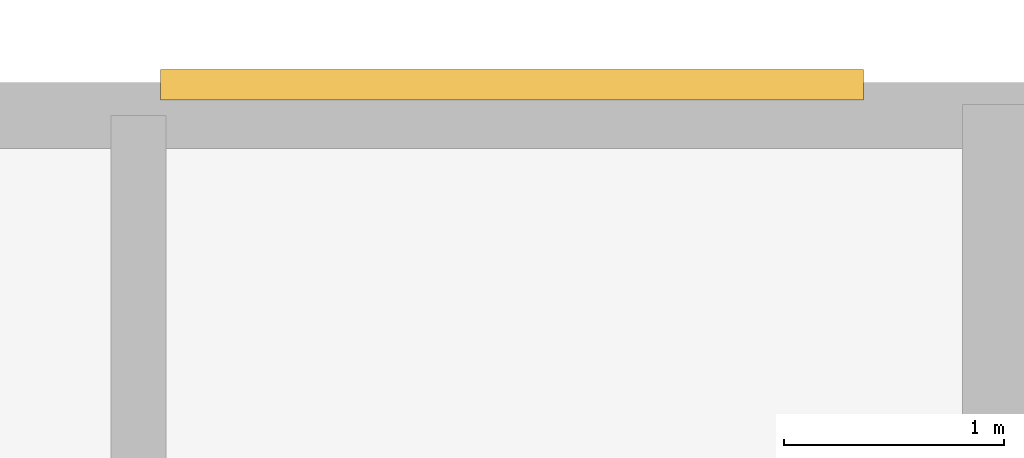
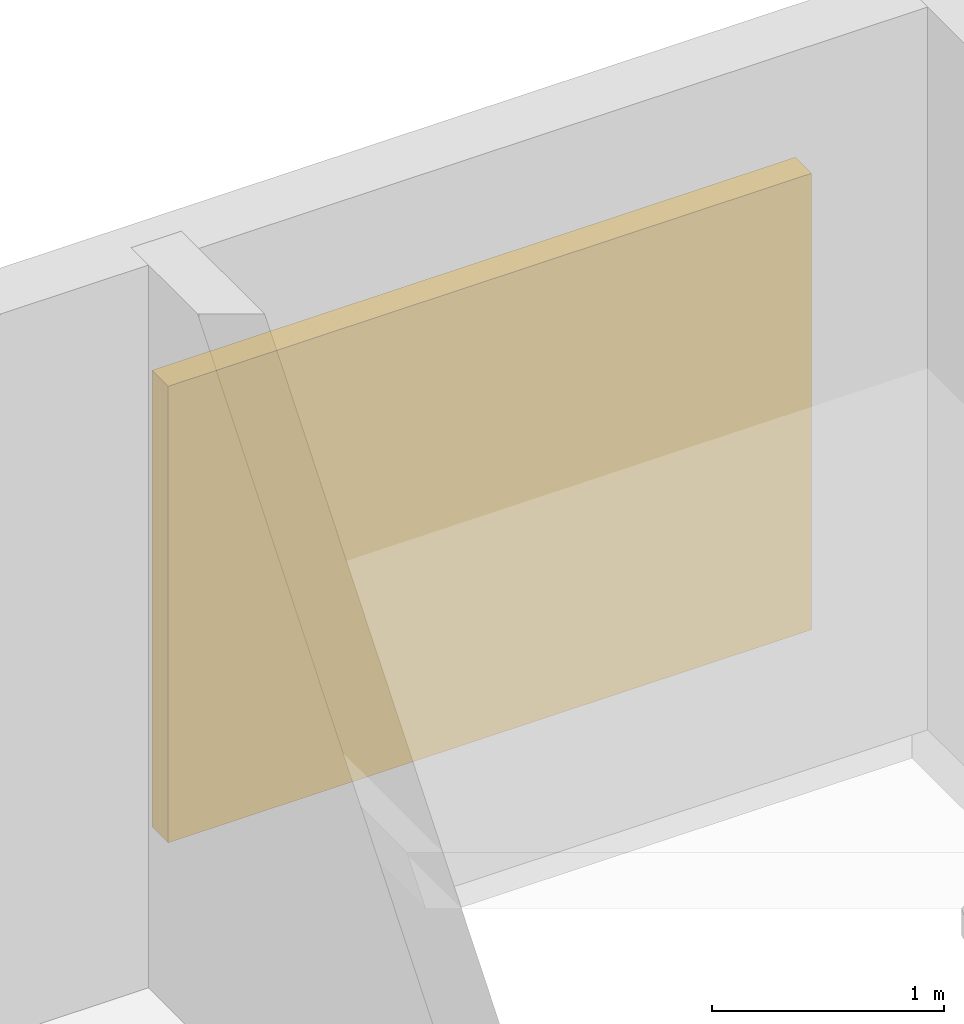
# One storey, part 23 of 23: 1 shading device.
"""IFC4 building model written with IfcOpenShell, lengths in metres."""

import ifcopenshell
import ifcopenshell.guid

model = None  # the IFC model being written
_history = None  # IfcOwnerHistory: only IFC2X3 demands one
_inside = {}  # id of a spatial element -> (the spatial element, [elements in it])
_under = {}  # id of a project, library or spatial element -> (it, [spatial elements below it])
_declared = {}  # id of a project -> (the project, [libraries it declares])
_typed = {}  # id of a type object -> (the type object, [elements of that type])
_made_of = {}  # id of a material, layer set ... -> (it, [elements and type objects made of it])


def new_model(schema):
    """Start an empty IFC model of exactly this schema.

    Asked for "IFC4X3", IfcOpenShell would pick the latest addendum, in which some entities
    have other attributes; the version numbers below select the first issue.
    IFC2X3 requires an IfcOwnerHistory on every rooted entity: one is made here for all.
    """
    global model, _history
    if schema == "IFC4X3":
        model = ifcopenshell.file(schema_version=(4, 3, 0, 0))
    else:
        model = ifcopenshell.file(schema=schema)
    _inside.clear()
    _under.clear()
    _declared.clear()
    _typed.clear()
    _made_of.clear()
    _history = None
    if model.schema == "IFC2X3":
        org = make("IfcOrganization", Name="unknown")
        user = make(
            "IfcPersonAndOrganization",
            ThePerson=make("IfcPerson", FamilyName="unknown"),
            TheOrganization=org,
        )
        app = make(
            "IfcApplication",
            ApplicationDeveloper=org,
            Version="unknown",
            ApplicationFullName="unknown",
            ApplicationIdentifier="unknown",
        )
        _history = make(
            "IfcOwnerHistory",
            OwningUser=user,
            OwningApplication=app,
            ChangeAction="ADDED",
            CreationDate=0,
        )
    return model


def make(cls, **values):
    """One entity of the class cls with the attributes given. An attribute that is None is left unset."""
    return model.create_entity(
        cls, **{name: value for name, value in values.items() if value is not None}
    )


def rooted(cls, **values):
    """An entity with a GlobalId (a new one), such as an element, a storey or a relation."""
    return make(cls, GlobalId=ifcopenshell.guid.new(), OwnerHistory=_history, **values)


def si_unit(unit_type, name, prefix=None):
    """IfcSIUnit, for example si_unit("LENGTHUNIT", "METRE", prefix="MILLI")."""
    return make("IfcSIUnit", UnitType=unit_type, Prefix=prefix, Name=name)


def assignment(units):
    """IfcUnitAssignment: the units of a project."""
    return None if units is None else make("IfcUnitAssignment", Units=units)


def point(xyz):
    """IfcCartesianPoint."""
    return None if xyz is None else make("IfcCartesianPoint", Coordinates=xyz)


def direction(xyz):
    """IfcDirection."""
    return None if xyz is None else make("IfcDirection", DirectionRatios=xyz)


def frame(location, z_axis=None, x_axis=None):
    """IfcAxis2Placement3D, a coordinate frame: its origin and axes. An axis left out is left unset."""
    return make(
        "IfcAxis2Placement3D",
        Location=point(location),
        Axis=direction(z_axis),
        RefDirection=direction(x_axis),
    )


def frame_2d(location, x_axis=None):
    """IfcAxis2Placement2D, a coordinate frame in the plane: its origin and x axis."""
    return make(
        "IfcAxis2Placement2D", Location=point(location), RefDirection=direction(x_axis)
    )


def origin():
    """The frame at (0, 0, 0) with its axes left unset."""
    return frame((0.0, 0.0, 0.0))


def origin_2d():
    """The frame at (0, 0) in the plane with its x axis left unset."""
    return frame_2d((0.0, 0.0))


def place(relative_to, where):
    """IfcLocalPlacement: puts the frame where relative to a parent placement (None: the world)."""
    return make(
        "IfcLocalPlacement", PlacementRelTo=relative_to, RelativePlacement=where
    )


def context(
    kind, dimensions, precision=None, world=None, true_north=None, identifier=None
):
    """IfcGeometricRepresentationContext, for example the 3D "Model" context."""
    return make(
        "IfcGeometricRepresentationContext",
        ContextIdentifier=identifier,
        ContextType=kind,
        CoordinateSpaceDimension=dimensions,
        Precision=precision,
        WorldCoordinateSystem=world,
        TrueNorth=true_north,
    )


def subcontext(parent, identifier, kind, view, scale=None):
    """IfcGeometricRepresentationSubContext, for example "Body" below "Model"."""
    return make(
        "IfcGeometricRepresentationSubContext",
        ContextIdentifier=identifier,
        ContextType=kind,
        ParentContext=parent,
        TargetScale=scale,
        TargetView=view,
    )


def project(units=None, contexts=None):
    """IfcProject with its units and contexts."""
    return rooted(
        "IfcProject",
        Name="project",
        RepresentationContexts=contexts,
        UnitsInContext=assignment(units),
    )


def spatial(cls, under=None, at=None, **own):
    """A site, building, storey or space (cls), placed at a placement, below another one or the project."""
    s = rooted(cls, ObjectPlacement=at, **own)
    if under is not None:
        _under.setdefault(under.id(), (under, []))[1].append(s)
    return s


def profile(cls, at=None, kind="AREA", **sizes):
    """A parametric profile (cls). Its sizes go by their IFC names, for example OverallWidth=200.0."""
    return make(cls, ProfileType=kind, Position=at, **sizes)


def rectangle(**sizes):
    """IfcRectangleProfileDef."""
    return profile("IfcRectangleProfileDef", **sizes)


def extrude(swept, where, along, depth):
    """IfcExtrudedAreaSolid: the profile swept, set in the frame where, extruded along a direction by depth."""
    return make(
        "IfcExtrudedAreaSolid",
        SweptArea=swept,
        Position=where,
        ExtrudedDirection=direction(along),
        Depth=depth,
    )


def shape(context_of_items, identifier, shape_type, items):
    """IfcShapeRepresentation: the items that make up one representation, for example the "Body"."""
    return make(
        "IfcShapeRepresentation",
        ContextOfItems=context_of_items,
        RepresentationIdentifier=identifier,
        RepresentationType=shape_type,
        Items=items,
    )


def material(Name=None, Category=None):
    """IfcMaterial."""
    return make("IfcMaterial", Name=Name, Category=Category)


def made_of(thing, what):
    """Note that an element or type object is made of a material, layer set ...; save() writes the relation."""
    if what is not None:
        _made_of.setdefault(what.id(), (what, []))[1].append(thing)
    return thing


def type_object(cls, material=None, **own):
    """A type object (cls), such as IfcWallType, which elements share."""
    return made_of(rooted(cls, **own), material)


def element(
    cls,
    number,
    at=None,
    inside=None,
    cuts=None,
    type_object=None,
    material=None,
    context=None,
    identifier="Body",
    shape_type=None,
    held_by="IfcProductDefinitionShape",
    body=None,
    shapes=None,
    **own,
):
    """One element of the class cls, such as IfcWall. Its Tag is "e" and its number.

    at: its placement. inside: the storey or other place that contains it. cuts: it is an
    opening in that element (IfcRelVoidsElement). A single representation is given by context,
    identifier, shape_type and body (its items); several are given by shapes. held_by: the class
    of the entity that holds the representations. save() writes the other relations.
    """
    e = rooted(cls, Tag="e%d" % number, ObjectPlacement=at, **own)
    if body is not None:
        shapes = [shape(context, identifier, shape_type, body)]
    if shapes is not None:
        e.Representation = make(held_by, Representations=shapes)
    if inside is not None:
        _inside.setdefault(inside.id(), (inside, []))[1].append(e)
    if cuts is not None:
        rooted(
            "IfcRelVoidsElement", RelatingBuildingElement=cuts, RelatedOpeningElement=e
        )
    if type_object is not None:
        _typed.setdefault(type_object.id(), (type_object, []))[1].append(e)
    return made_of(e, material)


def aggregate(whole, parts):
    """IfcRelAggregates: a whole, such as a stair, and the parts it consists of."""
    return rooted("IfcRelAggregates", RelatingObject=whole, RelatedObjects=parts)


def save(model, path):
    """Write the relations noted so far, then the file.

    IfcRelAggregates (storeys below a building ...), IfcRelContainedInSpatialStructure (elements
    in a storey), IfcRelDefinesByType, IfcRelAssociatesMaterial and IfcRelDeclares: one each for
    every whole, place, type object, material and project.
    """
    for whole, parts in _under.values():
        aggregate(whole, parts)
    for where, things in _inside.values():
        rooted(
            "IfcRelContainedInSpatialStructure",
            RelatedElements=things,
            RelatingStructure=where,
        )
    for kind, things in _typed.values():
        rooted("IfcRelDefinesByType", RelatedObjects=things, RelatingType=kind)
    for what, things in _made_of.values():
        rooted("IfcRelAssociatesMaterial", RelatedObjects=things, RelatingMaterial=what)
    for by, libraries in _declared.values():
        rooted("IfcRelDeclares", RelatingContext=by, RelatedDefinitions=libraries)
    model.write(path)


model = new_model("IFC4")

# Units and contexts
model_context = context("Model", 3, precision=1e-05, world=origin(), true_north=direction((0.0, 1.0)))
body_context = subcontext(model_context, "Body", "Model", "MODEL_VIEW")
ifc_project = project(units=[si_unit("LENGTHUNIT", "METRE"), si_unit("AREAUNIT", "SQUARE_METRE"), si_unit("VOLUMEUNIT", "CUBIC_METRE"), si_unit("PLANEANGLEUNIT", "RADIAN"), si_unit("MASSUNIT", "GRAM", prefix="KILO")], contexts=[model_context])

# Site, building, storey
site_placement = place(None, origin())
site = spatial("IfcSite", under=ifc_project, at=site_placement, CompositionType="ELEMENT")
building_placement = place(site_placement, origin())
building = spatial("IfcBuilding", under=site, at=building_placement, Name="Catumbela Crestline Tower", CompositionType="ELEMENT")
storey_placement = place(building_placement, frame((0.0, 0.0, 248.8)))
storey = spatial("IfcBuildingStorey", under=building, at=storey_placement, Name="L64", CompositionType="ELEMENT", Elevation=248.8)

# Shading device
ifc_material = material(Name="Extruded terracotta ceramic", Category="masonry")
shading_device_type = type_object("IfcShadingDeviceType", Name="ST-180", PredefinedType="USERDEFINED", material=ifc_material)
shading_device_placement = place(storey_placement, frame((37.8, 43.04, 0.55), z_axis=(0.0, 0.0, 1.0), x_axis=(1.0, 0.0, 0.0)))
element("IfcShadingDevice", 1, at=shading_device_placement, inside=storey, type_object=shading_device_type, Name="L64 Rear Core Terracotta Brise-Soleil Screen 772", ObjectType="SCREEN", PredefinedType="USERDEFINED", context=body_context, shape_type="SweptSolid", body=[
    extrude(rectangle(XDim=3.2, YDim=0.14, at=origin_2d()), origin(), (0.0, 0.0, 1.0), 2.4),
])

save(model, "model.ifc")
